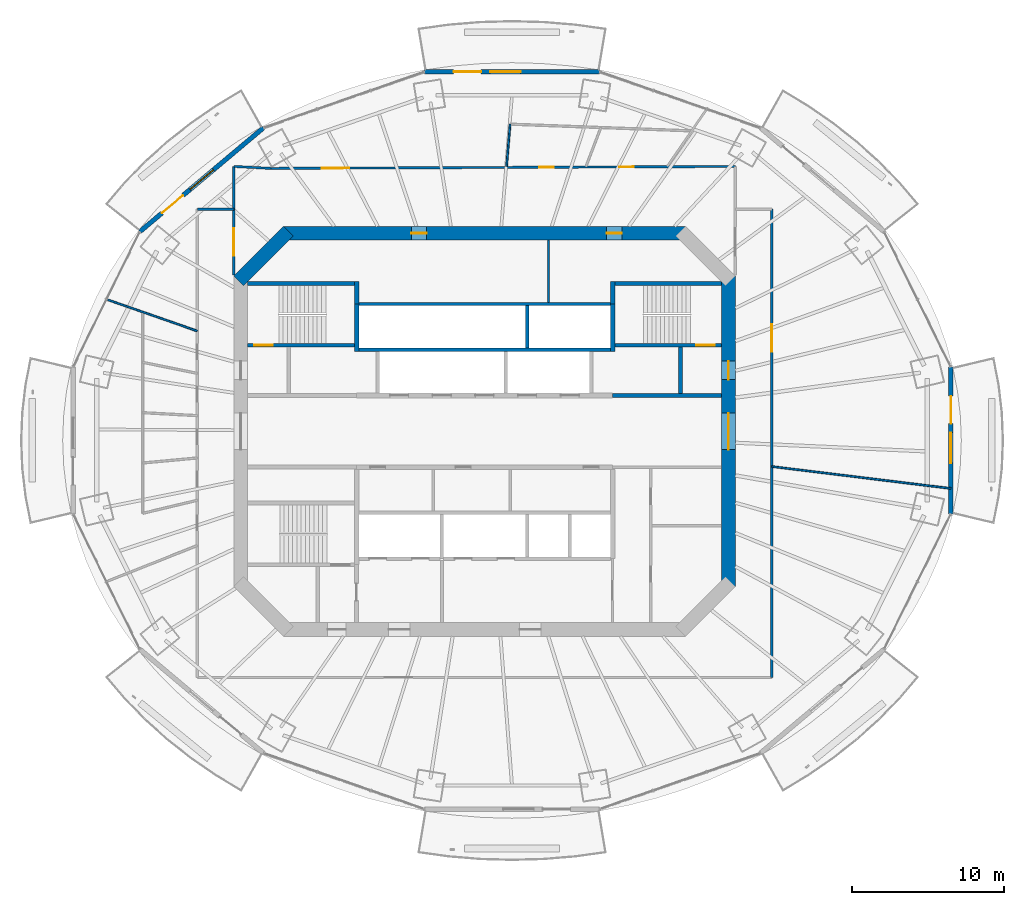
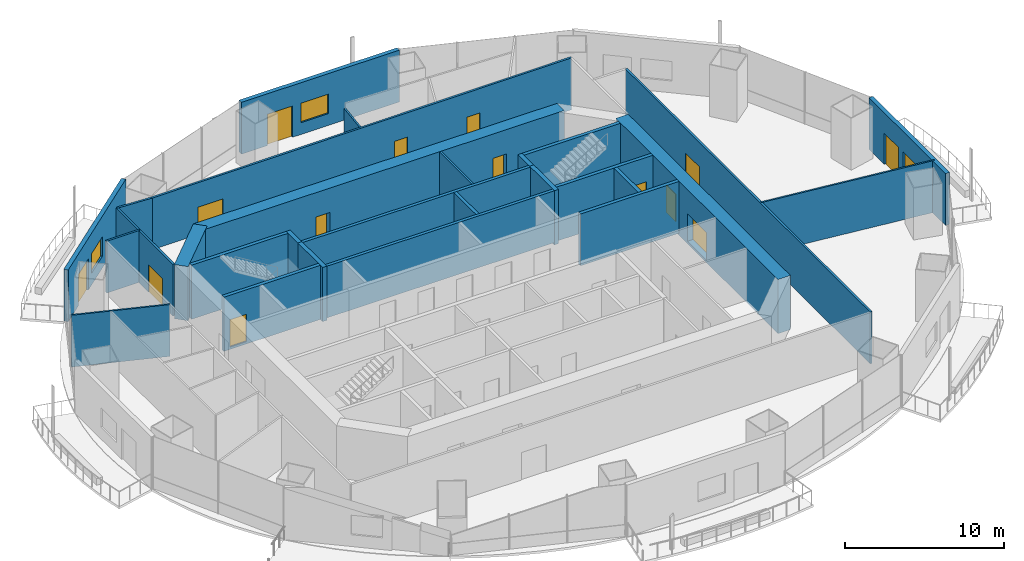
# One storey, part 12 of 18: 28 walls, 14 doors, 3 windows, 17 openings.
"""IFC4 building model written with IfcOpenShell, lengths in metres."""

from ifc_helpers import new_model, si_unit, direction, frame, frame_2d, origin, place, context, subcontext, project, spatial, rectangle, extrude, material, layer, layer_set, type_object, element, fill, save


model = new_model("IFC4")

# Units and contexts
model_context = context("Model", 3, precision=1e-05, world=origin(), true_north=direction((0.0, 1.0)))
body_context = subcontext(model_context, "Body", "Model", "MODEL_VIEW")
ifc_project = project(units=[si_unit("LENGTHUNIT", "METRE"), si_unit("AREAUNIT", "SQUARE_METRE"), si_unit("VOLUMEUNIT", "CUBIC_METRE"), si_unit("PLANEANGLEUNIT", "RADIAN"), si_unit("MASSUNIT", "GRAM", prefix="KILO")], contexts=[model_context])

# Site, building, storey
site_placement = place(None, origin())
site = spatial("IfcSite", under=ifc_project, at=site_placement, CompositionType="ELEMENT")
building_placement = place(site_placement, origin())
building = spatial("IfcBuilding", under=site, at=building_placement, Name="Marenthal Gate Tower", CompositionType="ELEMENT")
storey_placement = place(building_placement, frame((0.0, 0.0, 264.800048828125)))
storey = spatial("IfcBuildingStorey", under=building, at=storey_placement, Name="L59", CompositionType="ELEMENT", Elevation=264.800048828125)

# Wall, openings, doors
ifc_material_1 = material(Name="Concrete 60 MPa", Category="concrete")
ifc_layer_1 = layer(ifc_material_1, 0.89990234375)
ifc_layer_set_1 = layer_set([ifc_layer_1], Name="Core shear wall 900")
wall_type_1 = type_object("IfcWallType", Name="Core shear wall 900", PredefinedType="SHEAR", material=ifc_layer_set_1)
wall_1_placement = place(storey_placement, frame((16.0, -10.186279296875, -0.179931640625), z_axis=(0.0, 0.0, 1.0), x_axis=(0.0, 1.0, 0.0)))
wall_1 = element("IfcWall", 1, at=wall_1_placement, inside=storey, type_object=wall_type_1, Name="Core wall 02", PredefinedType="SHEAR", context=body_context, shape_type="SweptSolid", body=[
    extrude(rectangle(XDim=20.37255859375, YDim=0.89990234375, at=frame_2d((10.186279296875, 0.0))), origin(), (0.0, 0.0, 1.0), 4.14990234375),
])
opening_1_placement = place(wall_1_placement, frame((8.986328125, 0.0, 0.179931640625)))
opening_1 = element("IfcOpeningElement", 2, at=opening_1_placement, cuts=wall_1, Name="Opening D003.02", PredefinedType="OPENING", context=body_context, shape_type="SweptSolid", body=[
    extrude(rectangle(XDim=2.39990234375, YDim=2.10009765625, at=frame_2d((1.199951171875, 1.050048828125))), frame((0.0, 0.4599609375, 0.0), z_axis=(0.0, -1.0, 0.0), x_axis=(1.0, 0.0, 0.0)), (0.0, 0.0, 1.0), 0.919921875),
])
opening_2_placement = place(wall_1_placement, frame((13.58642578125, 0.0, 0.179931640625)))
opening_2 = element("IfcOpeningElement", 3, at=opening_2_placement, cuts=wall_1, Name="Opening D001.05", PredefinedType="OPENING", context=body_context, shape_type="SweptSolid", body=[
    extrude(rectangle(XDim=1.199951171875, YDim=2.10009765625, at=frame_2d((0.60009765625, 1.050048828125))), frame((0.0, 0.4599609375, 0.0), z_axis=(0.0, -1.0, 0.0), x_axis=(1.0, 0.0, 0.0)), (0.0, 0.0, 1.0), 0.919921875),
])
ifc_material_2 = material(Name="Steel fire door", Category="steel")
door_type_1 = type_object("IfcDoorType", Name="Double fire door FD 45 2400 x 2100", OperationType="DOUBLE_DOOR_SINGLE_SWING", PredefinedType="DOOR", material=ifc_material_2)
door_1_placement = place(opening_1_placement, origin())
door_1 = element("IfcDoor", 4, at=door_1_placement, inside=storey, type_object=door_type_1, Name="Door D003.02", OperationType="DOUBLE_DOOR_SINGLE_SWING", OverallHeight=2.10009765625, OverallWidth=2.39990234375, PredefinedType="DOOR", context=body_context, shape_type="SweptSolid", body=[
    extrude(rectangle(XDim=2.39990234375, YDim=2.10009765625, at=frame_2d((1.199951171875, 1.050048828125))), frame((0.0, 0.02490234375, 0.0), z_axis=(0.0, -1.0, 0.0), x_axis=(1.0, 0.0, 0.0)), (0.0, 0.0, 1.0), 0.050048828125),
])
fill(opening_1, door_1)
ifc_material_3 = material(Name="Steel fire door", Category="steel")
door_type_2 = type_object("IfcDoorType", Name="Fire door FD 90 1200 x 2100", OperationType="NOTDEFINED", PredefinedType="DOOR", material=ifc_material_3)
door_2_placement = place(opening_2_placement, origin())
door_2 = element("IfcDoor", 5, at=door_2_placement, inside=storey, type_object=door_type_2, Name="Door D001.05", OperationType="SINGLE_SWING_RIGHT", OverallHeight=2.10009765625, OverallWidth=1.199951171875, PredefinedType="DOOR", context=body_context, shape_type="SweptSolid", body=[
    extrude(rectangle(XDim=1.199951171875, YDim=2.10009765625, at=frame_2d((0.60009765625, 1.050048828125))), frame((0.0, 0.02490234375, 0.0), z_axis=(0.0, -1.0, 0.0), x_axis=(1.0, 0.0, 0.0)), (0.0, 0.0, 1.0), 0.050048828125),
])
fill(opening_2, door_2)

wall_2_placement = place(storey_placement, frame((13.186279296875, 13.0, -0.179931640625), z_axis=(0.0, 0.0, 1.0), x_axis=(-1.0, 0.0, 0.0)))
wall_2 = element("IfcWall", 6, at=wall_2_placement, inside=storey, type_object=wall_type_1, Name="Core wall 04", PredefinedType="SHEAR", context=body_context, shape_type="SweptSolid", body=[
    extrude(rectangle(XDim=26.37255859375, YDim=0.89990234375, at=frame_2d((13.186279296875, 0.0))), origin(), (0.0, 0.0, 1.0), 4.14990234375),
])
opening_3_placement = place(wall_2_placement, frame((16.993408203125, 0.0, 0.179931640625)))
opening_3 = element("IfcOpeningElement", 7, at=opening_3_placement, cuts=wall_2, Name="Opening D005.04", PredefinedType="OPENING", context=body_context, shape_type="SweptSolid", body=[
    extrude(rectangle(XDim=1.0, YDim=2.10009765625, at=frame_2d((0.5, 1.050048828125))), frame((0.0, 0.4599609375, 0.0), z_axis=(0.0, -1.0, 0.0), x_axis=(1.0, 0.0, 0.0)), (0.0, 0.0, 1.0), 0.919921875),
])
opening_4_placement = place(wall_2_placement, frame((4.179443359375, 0.0, 0.179931640625)))
opening_4 = element("IfcOpeningElement", 8, at=opening_4_placement, cuts=wall_2, Name="Opening D005.05", PredefinedType="OPENING", context=body_context, shape_type="SweptSolid", body=[
    extrude(rectangle(XDim=1.0, YDim=2.10009765625, at=frame_2d((0.5, 1.050048828125))), frame((0.0, 0.4599609375, 0.0), z_axis=(0.0, -1.0, 0.0), x_axis=(1.0, 0.0, 0.0)), (0.0, 0.0, 1.0), 0.919921875),
])
ifc_material_4 = material(Name="Steel fire door", Category="steel")
door_type_3 = type_object("IfcDoorType", Name="Fire door FD 45 1000 x 2100", OperationType="NOTDEFINED", PredefinedType="DOOR", material=ifc_material_4)
door_3_placement = place(opening_3_placement, origin())
door_3 = element("IfcDoor", 9, at=door_3_placement, inside=storey, type_object=door_type_3, Name="Door D005.04", OperationType="SINGLE_SWING_RIGHT", OverallHeight=2.10009765625, OverallWidth=1.0, PredefinedType="DOOR", context=body_context, shape_type="SweptSolid", body=[
    extrude(rectangle(XDim=1.0, YDim=2.10009765625, at=frame_2d((0.5, 1.050048828125))), frame((0.0, 0.02490234375, 0.0), z_axis=(0.0, -1.0, 0.0), x_axis=(1.0, 0.0, 0.0)), (0.0, 0.0, 1.0), 0.050048828125),
])
fill(opening_3, door_3)
door_4_placement = place(opening_4_placement, origin())
door_4 = element("IfcDoor", 10, at=door_4_placement, inside=storey, type_object=door_type_3, Name="Door D005.05", OperationType="SINGLE_SWING_RIGHT", OverallHeight=2.10009765625, OverallWidth=1.0, PredefinedType="DOOR", context=body_context, shape_type="SweptSolid", body=[
    extrude(rectangle(XDim=1.0, YDim=2.10009765625, at=frame_2d((0.5, 1.050048828125))), frame((0.0, 0.02490234375, 0.0), z_axis=(0.0, -1.0, 0.0), x_axis=(1.0, 0.0, 0.0)), (0.0, 0.0, 1.0), 0.050048828125),
])
fill(opening_4, door_4)

# Walls
wall_3_placement = place(storey_placement, frame((-12.8681640625, 13.1318359375, -0.179931640625), z_axis=(0.0, 0.0, 1.0), x_axis=(-0.707106781187, -0.707106781187, 0.0)))
element("IfcWall", 11, at=wall_3_placement, inside=storey, type_object=wall_type_1, Name="Core wall 05", PredefinedType="SHEAR", context=body_context, shape_type="SweptSolid", body=[
    extrude(rectangle(XDim=4.615478515625, YDim=0.89990234375, at=frame_2d((2.3076171875, 0.0))), origin(), (0.0, 0.0, 1.0), 4.14990234375),
])
ifc_material_5 = material(Name="Concrete 50 MPa", Category="concrete")
ifc_layer_2 = layer(ifc_material_5, 0.300048828125)
ifc_layer_set_2 = layer_set([ifc_layer_2], Name="Hoistway shear wall 300")
wall_type_2 = type_object("IfcWallType", Name="Hoistway shear wall 300", PredefinedType="SHEAR", material=ifc_layer_set_2)
for number, where, z_axis, x_axis, name in (
    (12, (-8.39990234375, 5.239990234375, -0.179931640625), (0.0, 0.0, 1.0), (0.0, 1.0, 0.0), "Hoistway wall 31"),
    (13, (8.39990234375, 5.239990234375, -0.179931640625), (0.0, 0.0, 1.0), (0.0, 1.0, 0.0), "Hoistway wall 46"),
):
    element("IfcWall", number, at=place(storey_placement, frame(where, z_axis=z_axis, x_axis=x_axis)), inside=storey, type_object=wall_type_2, Name=name, PredefinedType="SHEAR", context=body_context, shape_type="SweptSolid", body=[
        extrude(rectangle(XDim=3.110107421875, YDim=0.300048828125, at=frame_2d((1.55517578125, 0.0))), origin(), (0.0, 0.0, 1.0), 4.14990234375),
    ])
ifc_material_6 = material(Name="Concrete 40 MPa", Category="concrete")
ifc_layer_3 = layer(ifc_material_6, 0.219970703125)
ifc_layer_set_3 = layer_set([ifc_layer_3], Name="Hoistway wall 220")
wall_type_3 = type_object("IfcWallType", Name="Hoistway wall 220", PredefinedType="STANDARD", material=ifc_layer_set_3)
for number, where, z_axis, x_axis, name in (
    (14, (-8.25, 5.35009765625, 0.0), (0.0, 0.0, 1.0), (1.0, 0.0, 0.0), "Hoistway wall 21"),
    (15, (-8.25, 8.35009765625, 0.0), (0.0, 0.0, 1.0), (1.0, 0.0, 0.0), "Hoistway wall 24"),
):
    element("IfcWall", number, at=place(storey_placement, frame(where, z_axis=z_axis, x_axis=x_axis)), inside=storey, type_object=wall_type_3, Name=name, PredefinedType="STANDARD", context=body_context, shape_type="SweptSolid", body=[
        extrude(rectangle(XDim=16.5, YDim=0.219970703125, at=frame_2d((8.25, 0.0))), origin(), (0.0, 0.0, 1.0), 3.969970703125),
    ])
wall_4_placement = place(storey_placement, frame((2.800048828125, 5.4599609375, 0.0), z_axis=(0.0, 0.0, 1.0), x_axis=(0.0, 1.0, 0.0)))
element("IfcWall", 16, at=wall_4_placement, inside=storey, type_object=wall_type_3, Name="Hoistway wall 40", PredefinedType="STANDARD", context=body_context, shape_type="SweptSolid", body=[
    extrude(rectangle(XDim=2.780029296875, YDim=0.219970703125, at=frame_2d((1.39013671875, 0.0))), origin(), (0.0, 0.0, 1.0), 3.969970703125),
])
ifc_material_7 = material(Name="Gypsum board on steel studs", Category="steel")
ifc_layer_4 = layer(ifc_material_7, 0.1201171875)
ifc_layer_set_4 = layer_set([ifc_layer_4], Name="Partition 120")
wall_type_4 = type_object("IfcWallType", Name="Partition 120", PredefinedType="PARTITIONING", material=ifc_layer_set_4)
wall_5_placement = place(storey_placement, frame((-18.85009765625, 6.580078125, 0.0), z_axis=(0.0, 0.0, 1.0), x_axis=(-0.944129608836, 0.329574394819, 0.0)))
element("IfcWall", 17, at=wall_5_placement, inside=storey, type_object=wall_type_4, Name="Partition wall 57", PredefinedType="PARTITIONING", context=body_context, shape_type="SweptSolid", body=[
    extrude(rectangle(XDim=6.306884765625, YDim=0.1201171875, at=frame_2d((3.1533203125, 0.0))), origin(), (0.0, 0.0, 1.0), 3.969970703125),
])
wall_6_placement = place(storey_placement, frame((1.67431640625, 20.154052734375, 0.0), z_axis=(0.0, 0.0, 1.0), x_axis=(-0.082798678208, -0.996566294276, 0.0)))
element("IfcWall", 18, at=wall_6_placement, inside=storey, type_object=wall_type_4, Name="Partition wall 62", PredefinedType="PARTITIONING", context=body_context, shape_type="SweptSolid", body=[
    extrude(rectangle(XDim=2.783447265625, YDim=0.1201171875, at=frame_2d((1.3916015625, 0.0))), origin(), (0.0, 0.0, 1.0), 3.552978515625),
])
wall_7_placement = place(storey_placement, frame((18.85009765625, -2.310302734375, 0.0), z_axis=(0.0, 0.0, 1.0), x_axis=(0.99257271965, -0.121652769002, 0.0)))
element("IfcWall", 19, at=wall_7_placement, inside=storey, type_object=wall_type_4, Name="Partition wall 69", PredefinedType="PARTITIONING", context=body_context, shape_type="SweptSolid", body=[
    extrude(rectangle(XDim=11.83447265625, YDim=0.1201171875, at=frame_2d((5.917236328125, 0.0))), origin(), (0.0, 0.0, 1.0), 3.969970703125),
])
ifc_material_8 = material(Name="Gypsum board on steel studs", Category="steel")
ifc_layer_5 = layer(ifc_material_8, 0.14990234375)
ifc_layer_set_5 = layer_set([ifc_layer_5], Name="Partition 150")
wall_type_5 = type_object("IfcWallType", Name="Partition 150", PredefinedType="PARTITIONING", material=ifc_layer_set_5)
wall_8_placement = place(storey_placement, frame((4.199951171875, 8.4599609375, 0.0), z_axis=(0.0, 0.0, 1.0), x_axis=(0.0, 1.0, 0.0)))
element("IfcWall", 20, at=wall_8_placement, inside=storey, type_object=wall_type_5, Name="Partition wall 41", PredefinedType="PARTITIONING", context=body_context, shape_type="SweptSolid", body=[
    extrude(rectangle(XDim=4.090087890625, YDim=0.14990234375, at=frame_2d((2.044921875, 0.0))), origin(), (0.0, 0.0, 1.0), 3.969970703125),
])
wall_9_placement = place(storey_placement, frame((-18.85009765625, 14.580078125, 0.0), z_axis=(0.0, 0.0, 1.0), x_axis=(1.0, 0.0, 0.0)))
element("IfcWall", 21, at=wall_9_placement, inside=storey, type_object=wall_type_5, Name="Partition wall 58", PredefinedType="PARTITIONING", context=body_context, shape_type="SweptSolid", body=[
    extrude(rectangle(XDim=2.400146484375, YDim=0.14990234375, at=frame_2d((1.2001953125, 0.0))), origin(), (0.0, 0.0, 1.0), 3.969970703125),
])

# Wall, opening, door
wall_10_placement = place(storey_placement, frame((-16.449951171875, 10.25, 0.0), z_axis=(0.0, 0.0, 1.0), x_axis=(0.0, 1.0, 0.0)))
wall_10 = element("IfcWall", 22, at=wall_10_placement, inside=storey, type_object=wall_type_5, Name="Partition wall 59", PredefinedType="PARTITIONING", context=body_context, shape_type="SweptSolid", body=[
    extrude(rectangle(XDim=7.130126953125, YDim=0.14990234375, at=frame_2d((3.56494140625, 0.0))), origin(), (0.0, 0.0, 1.0), 3.969970703125),
])
opening_5_placement = place(wall_10_placement, frame((1.264892578125, 0.0, 0.0)))
opening_5 = element("IfcOpeningElement", 23, at=opening_5_placement, cuts=wall_10, Name="Opening D014.04", PredefinedType="OPENING", context=body_context, shape_type="SweptSolid", body=[
    extrude(rectangle(XDim=1.800048828125, YDim=2.10009765625, at=frame_2d((0.89990234375, 1.050048828125))), frame((0.0, 0.0849609375, 0.0), z_axis=(0.0, -1.0, 0.0), x_axis=(1.0, 0.0, 0.0)), (0.0, 0.0, 1.0), 0.169921875),
])
ifc_material_9 = material(Name="Timber door", Category="wood")
door_type_4 = type_object("IfcDoorType", Name="Double door 1800 x 2100", OperationType="DOUBLE_DOOR_SINGLE_SWING", PredefinedType="DOOR", material=ifc_material_9)
door_5_placement = place(opening_5_placement, origin())
door_5 = element("IfcDoor", 24, at=door_5_placement, inside=storey, type_object=door_type_4, Name="Door D014.04", OperationType="DOUBLE_DOOR_SINGLE_SWING", OverallHeight=2.10009765625, OverallWidth=1.800048828125, PredefinedType="DOOR", context=body_context, shape_type="SweptSolid", body=[
    extrude(rectangle(XDim=1.800048828125, YDim=2.10009765625, at=frame_2d((0.89990234375, 1.050048828125))), frame((0.0, 0.02490234375, 0.0), z_axis=(0.0, -1.0, 0.0), x_axis=(1.0, 0.0, 0.0)), (0.0, 0.0, 1.0), 0.050048828125),
])
fill(opening_5, door_5)

# Wall
wall_11_placement = place(storey_placement, frame((-16.449951171875, 17.380126953125, 0.0), z_axis=(0.0, 0.0, 1.0), x_axis=(0.998580451671, -0.05326426138, 0.0)))
element("IfcWall", 25, at=wall_11_placement, inside=storey, type_object=wall_type_5, Name="Partition wall 60", PredefinedType="PARTITIONING", context=body_context, shape_type="SweptSolid", body=[
    extrude(rectangle(XDim=2.4521484375, YDim=0.14990234375, at=frame_2d((1.22607421875, 0.0))), origin(), (0.0, 0.0, 1.0), 3.969970703125),
])

# Wall, openings, doors
wall_12_placement = place(storey_placement, frame((-14.001220703125, 17.24951171875, 0.0), z_axis=(0.0, 0.0, 1.0), x_axis=(0.999990800936, 0.004289294132, 0.0)))
wall_12 = element("IfcWall", 26, at=wall_12_placement, inside=storey, type_object=wall_type_5, Name="Partition wall 61", PredefinedType="PARTITIONING", context=body_context, shape_type="SweptSolid", body=[
    extrude(rectangle(XDim=30.451416015625, YDim=0.14990234375, at=frame_2d((15.2255859375, 0.0))), origin(), (0.0, 0.0, 1.0), 3.969970703125),
])
opening_6_placement = place(wall_12_placement, frame((22.843994140625, 0.0, 0.0)))
opening_6 = element("IfcOpeningElement", 27, at=opening_6_placement, cuts=wall_12, Name="Opening D016.01", PredefinedType="OPENING", context=body_context, shape_type="SweptSolid", body=[
    extrude(rectangle(XDim=0.949951171875, YDim=2.10009765625, at=frame_2d((0.47509765625, 1.050048828125))), frame((0.0, 0.0849609375, 0.0), z_axis=(0.0, -1.0, 0.0), x_axis=(1.0, 0.0, 0.0)), (0.0, 0.0, 1.0), 0.169921875),
])
opening_7_placement = place(wall_12_placement, frame((17.575927734375, 0.0, 0.0)))
opening_7 = element("IfcOpeningElement", 28, at=opening_7_placement, cuts=wall_12, Name="Opening D016.02", PredefinedType="OPENING", context=body_context, shape_type="SweptSolid", body=[
    extrude(rectangle(XDim=0.949951171875, YDim=2.10009765625, at=frame_2d((0.47509765625, 1.050048828125))), frame((0.0, 0.0849609375, 0.0), z_axis=(0.0, -1.0, 0.0), x_axis=(1.0, 0.0, 0.0)), (0.0, 0.0, 1.0), 0.169921875),
])
opening_8_placement = place(wall_12_placement, frame((3.318115234375, 0.0, 0.0)))
opening_8 = element("IfcOpeningElement", 29, at=opening_8_placement, cuts=wall_12, Name="Opening D014.01", PredefinedType="OPENING", context=body_context, shape_type="SweptSolid", body=[
    extrude(rectangle(XDim=1.800048828125, YDim=2.10009765625, at=frame_2d((0.89990234375, 1.050048828125))), frame((0.0, 0.0849609375, 0.0), z_axis=(0.0, -1.0, 0.0), x_axis=(1.0, 0.0, 0.0)), (0.0, 0.0, 1.0), 0.169921875),
])
ifc_material_10 = material(Name="Timber door", Category="wood")
door_type_5 = type_object("IfcDoorType", Name="Door 950 x 2100", OperationType="NOTDEFINED", PredefinedType="DOOR", material=ifc_material_10)
door_6_placement = place(opening_6_placement, origin())
door_6 = element("IfcDoor", 30, at=door_6_placement, inside=storey, type_object=door_type_5, Name="Door D016.01", OperationType="SINGLE_SWING_RIGHT", OverallHeight=2.10009765625, OverallWidth=0.949951171875, PredefinedType="DOOR", context=body_context, shape_type="SweptSolid", body=[
    extrude(rectangle(XDim=0.949951171875, YDim=2.10009765625, at=frame_2d((0.47509765625, 1.050048828125))), frame((0.0, 0.02490234375, 0.0), z_axis=(0.0, -1.0, 0.0), x_axis=(1.0, 0.0, 0.0)), (0.0, 0.0, 1.0), 0.050048828125),
])
fill(opening_6, door_6)
door_7_placement = place(opening_7_placement, origin())
door_7 = element("IfcDoor", 31, at=door_7_placement, inside=storey, type_object=door_type_5, Name="Door D016.02", OperationType="SINGLE_SWING_RIGHT", OverallHeight=2.10009765625, OverallWidth=0.949951171875, PredefinedType="DOOR", context=body_context, shape_type="SweptSolid", body=[
    extrude(rectangle(XDim=0.949951171875, YDim=2.10009765625, at=frame_2d((0.47509765625, 1.050048828125))), frame((0.0, 0.02490234375, 0.0), z_axis=(0.0, -1.0, 0.0), x_axis=(1.0, 0.0, 0.0)), (0.0, 0.0, 1.0), 0.050048828125),
])
fill(opening_7, door_7)
door_8_placement = place(opening_8_placement, origin())
door_8 = element("IfcDoor", 32, at=door_8_placement, inside=storey, type_object=door_type_4, Name="Door D014.01", OperationType="DOUBLE_DOOR_SINGLE_SWING", OverallHeight=2.10009765625, OverallWidth=1.800048828125, PredefinedType="DOOR", context=body_context, shape_type="SweptSolid", body=[
    extrude(rectangle(XDim=1.800048828125, YDim=2.10009765625, at=frame_2d((0.89990234375, 1.050048828125))), frame((0.0, 0.02490234375, 0.0), z_axis=(0.0, -1.0, 0.0), x_axis=(1.0, 0.0, 0.0)), (0.0, 0.0, 1.0), 0.050048828125),
])
fill(opening_8, door_8)

# Wall, opening, door
wall_13_placement = place(storey_placement, frame((18.85009765625, 14.580078125, 0.0), z_axis=(0.0, 0.0, 1.0), x_axis=(0.0, -1.0, 0.0)))
wall_13 = element("IfcWall", 33, at=wall_13_placement, inside=storey, type_object=wall_type_5, Name="Partition wall 70", PredefinedType="PARTITIONING", context=body_context, shape_type="SweptSolid", body=[
    extrude(rectangle(XDim=30.72998046875, YDim=0.14990234375, at=frame_2d((15.364990234375, 0.0))), origin(), (0.0, 0.0, 1.0), 3.969970703125),
])
opening_9_placement = place(wall_13_placement, frame((7.544921875, 0.0, 0.0)))
opening_9 = element("IfcOpeningElement", 34, at=opening_9_placement, cuts=wall_13, Name="Opening D014.03", PredefinedType="OPENING", context=body_context, shape_type="SweptSolid", body=[
    extrude(rectangle(XDim=1.800048828125, YDim=2.10009765625, at=frame_2d((0.89990234375, 1.050048828125))), frame((0.0, 0.0849609375, 0.0), z_axis=(0.0, -1.0, 0.0), x_axis=(1.0, 0.0, 0.0)), (0.0, 0.0, 1.0), 0.169921875),
])
door_9_placement = place(opening_9_placement, origin())
door_9 = element("IfcDoor", 35, at=door_9_placement, inside=storey, type_object=door_type_4, Name="Door D014.03", OperationType="DOUBLE_DOOR_SINGLE_SWING", OverallHeight=2.10009765625, OverallWidth=1.800048828125, PredefinedType="DOOR", context=body_context, shape_type="SweptSolid", body=[
    extrude(rectangle(XDim=1.800048828125, YDim=2.10009765625, at=frame_2d((0.89990234375, 1.050048828125))), frame((0.0, 0.02490234375, 0.0), z_axis=(0.0, -1.0, 0.0), x_axis=(1.0, 0.0, 0.0)), (0.0, 0.0, 1.0), 0.050048828125),
])
fill(opening_9, door_9)

# Walls
ifc_material_11 = material(Name="Concrete 40 MPa", Category="concrete")
ifc_layer_6 = layer(ifc_material_11, 0.25)
ifc_layer_set_6 = layer_set([ifc_layer_6], Name="Stair enclosure wall 250")
wall_type_6 = type_object("IfcWallType", Name="Stair enclosure wall 250", PredefinedType="STANDARD", material=ifc_layer_set_6)
wall_14_placement = place(storey_placement, frame((8.39990234375, 2.35009765625, 0.0), z_axis=(0.0, 0.0, 1.0), x_axis=(1.0, 0.0, 0.0)))
element("IfcWall", 36, at=wall_14_placement, inside=storey, type_object=wall_type_6, Name="Stair wall 20", PredefinedType="STANDARD", context=body_context, shape_type="SweptSolid", body=[
    extrude(rectangle(XDim=7.150146484375, YDim=0.25, at=frame_2d((3.5751953125, 0.0))), origin(), (0.0, 0.0, 1.0), 3.969970703125),
])
wall_15_placement = place(storey_placement, frame((12.85009765625, 2.47509765625, 0.0), z_axis=(0.0, 0.0, 1.0), x_axis=(0.0, 1.0, 0.0)))
element("IfcWall", 37, at=wall_15_placement, inside=storey, type_object=wall_type_6, Name="Stair wall 49", PredefinedType="STANDARD", context=body_context, shape_type="SweptSolid", body=[
    extrude(rectangle(XDim=3.0498046875, YDim=0.25, at=frame_2d((1.52490234375, 0.0))), origin(), (0.0, 0.0, 1.0), 3.969970703125),
])

# Wall, opening, door
ifc_material_12 = material(Name="Concrete 50 MPa", Category="concrete")
ifc_layer_7 = layer(ifc_material_12, 0.25)
ifc_layer_set_7 = layer_set([ifc_layer_7], Name="Stair shear wall 250")
wall_type_7 = type_object("IfcWallType", Name="Stair shear wall 250", PredefinedType="SHEAR", material=ifc_layer_set_7)
wall_16_placement = place(storey_placement, frame((-15.550048828125, 5.64990234375, -0.179931640625), z_axis=(0.0, 0.0, 1.0), x_axis=(1.0, 0.0, 0.0)))
wall_16 = element("IfcWall", 38, at=wall_16_placement, inside=storey, type_object=wall_type_7, Name="Stair wall 22", PredefinedType="SHEAR", context=body_context, shape_type="SweptSolid", body=[
    extrude(rectangle(XDim=7.0, YDim=0.25, at=frame_2d((3.5, 0.0))), origin(), (0.0, 0.0, 1.0), 4.14990234375),
])
opening_10_placement = place(wall_16_placement, frame((0.449951171875, 0.0, 0.179931640625)))
opening_10 = element("IfcOpeningElement", 39, at=opening_10_placement, cuts=wall_16, Name="Opening D001.01", PredefinedType="OPENING", context=body_context, shape_type="SweptSolid", body=[
    extrude(rectangle(XDim=1.199951171875, YDim=2.10009765625, at=frame_2d((0.60009765625, 1.050048828125))), frame((0.0, 0.135009765625, 0.0), z_axis=(0.0, -1.0, 0.0), x_axis=(1.0, 0.0, 0.0)), (0.0, 0.0, 1.0), 0.27001953125),
])
door_10_placement = place(opening_10_placement, origin())
door_10 = element("IfcDoor", 40, at=door_10_placement, inside=storey, type_object=door_type_2, Name="Door D001.01", OperationType="SINGLE_SWING_RIGHT", OverallHeight=2.10009765625, OverallWidth=1.199951171875, PredefinedType="DOOR", context=body_context, shape_type="SweptSolid", body=[
    extrude(rectangle(XDim=1.199951171875, YDim=2.10009765625, at=frame_2d((0.60009765625, 1.050048828125))), frame((0.0, 0.02490234375, 0.0), z_axis=(0.0, -1.0, 0.0), x_axis=(1.0, 0.0, 0.0)), (0.0, 0.0, 1.0), 0.050048828125),
])
fill(opening_10, door_10)

wall_17_placement = place(storey_placement, frame((8.550048828125, 5.64990234375, -0.179931640625), z_axis=(0.0, 0.0, 1.0), x_axis=(1.0, 0.0, 0.0)))
wall_17 = element("IfcWall", 41, at=wall_17_placement, inside=storey, type_object=wall_type_7, Name="Stair wall 23", PredefinedType="SHEAR", context=body_context, shape_type="SweptSolid", body=[
    extrude(rectangle(XDim=7.0, YDim=0.25, at=frame_2d((3.5, 0.0))), origin(), (0.0, 0.0, 1.0), 4.14990234375),
])
opening_11_placement = place(wall_17_placement, frame((5.35009765625, 0.0, 0.179931640625)))
opening_11 = element("IfcOpeningElement", 42, at=opening_11_placement, cuts=wall_17, Name="Opening D001.02", PredefinedType="OPENING", context=body_context, shape_type="SweptSolid", body=[
    extrude(rectangle(XDim=1.199951171875, YDim=2.10009765625, at=frame_2d((0.60009765625, 1.050048828125))), frame((0.0, 0.135009765625, 0.0), z_axis=(0.0, -1.0, 0.0), x_axis=(1.0, 0.0, 0.0)), (0.0, 0.0, 1.0), 0.27001953125),
])
door_11_placement = place(opening_11_placement, origin())
door_11 = element("IfcDoor", 43, at=door_11_placement, inside=storey, type_object=door_type_2, Name="Door D001.02", OperationType="SINGLE_SWING_RIGHT", OverallHeight=2.10009765625, OverallWidth=1.199951171875, PredefinedType="DOOR", context=body_context, shape_type="SweptSolid", body=[
    extrude(rectangle(XDim=1.199951171875, YDim=2.10009765625, at=frame_2d((0.60009765625, 1.050048828125))), frame((0.0, 0.02490234375, 0.0), z_axis=(0.0, -1.0, 0.0), x_axis=(1.0, 0.0, 0.0)), (0.0, 0.0, 1.0), 0.050048828125),
])
fill(opening_11, door_11)

# Walls
for number, where, z_axis, x_axis, name in (
    (44, (-15.550048828125, 9.699951171875, -0.179931640625), (0.0, 0.0, 1.0), (1.0, 0.0, 0.0), "Stair wall 25"),
    (45, (8.550048828125, 9.699951171875, -0.179931640625), (0.0, 0.0, 1.0), (1.0, 0.0, 0.0), "Stair wall 26"),
):
    element("IfcWall", number, at=place(storey_placement, frame(where, z_axis=z_axis, x_axis=x_axis)), inside=storey, type_object=wall_type_7, Name=name, PredefinedType="SHEAR", context=body_context, shape_type="SweptSolid", body=[
        extrude(rectangle(XDim=7.0, YDim=0.25, at=frame_2d((3.5, 0.0))), origin(), (0.0, 0.0, 1.0), 4.14990234375),
    ])
ifc_material_13 = material(Name="Concrete 50 MPa", Category="concrete")
ifc_layer_8 = layer(ifc_material_13, 0.300048828125)
ifc_layer_set_8 = layer_set([ifc_layer_8], Name="Stair shear wall 300")
wall_type_8 = type_object("IfcWallType", Name="Stair shear wall 300", PredefinedType="SHEAR", material=ifc_layer_set_8)
for number, where, z_axis, x_axis, name in (
    (46, (-8.39990234375, 8.35009765625, -0.179931640625), (0.0, 0.0, 1.0), (0.0, 1.0, 0.0), "Stair wall 32"),
    (47, (8.39990234375, 8.35009765625, -0.179931640625), (0.0, 0.0, 1.0), (0.0, 1.0, 0.0), "Stair wall 47"),
):
    element("IfcWall", number, at=place(storey_placement, frame(where, z_axis=z_axis, x_axis=x_axis)), inside=storey, type_object=wall_type_8, Name=name, PredefinedType="SHEAR", context=body_context, shape_type="SweptSolid", body=[
        extrude(rectangle(XDim=1.474853515625, YDim=0.300048828125, at=frame_2d((0.7373046875, 0.0))), origin(), (0.0, 0.0, 1.0), 4.14990234375),
    ])

# Wall, openings, door, window
ifc_material_14 = material(Name="Terracotta cladding on insulated concrete-block backing", Category="masonry")
ifc_layer_9 = layer(ifc_material_14, 0.300048828125)
ifc_layer_set_9 = layer_set([ifc_layer_9], Name="Terracotta facade wall 300")
wall_type_9 = type_object("IfcWallType", Name="Terracotta facade wall 300", PredefinedType="SOLIDWALL", material=ifc_layer_set_9)
wall_18_placement = place(storey_placement, frame((7.528076171875, 23.593994140625, 0.0), z_axis=(0.0, 0.0, 1.0), x_axis=(-1.0, 0.0, 0.0)))
wall_18 = element("IfcWall", 48, at=wall_18_placement, inside=storey, type_object=wall_type_9, Name="Terracotta facade wall L59 bay 4", PredefinedType="SOLIDWALL", context=body_context, shape_type="SweptSolid", body=[
    extrude(rectangle(XDim=11.4560546875, YDim=0.300048828125, at=frame_2d((5.72802734375, 0.0))), origin(), (0.0, 0.0, 1.0), 3.969970703125),
])
opening_12_placement = place(wall_18_placement, frame((7.756103515625, 0.0, 0.0)))
opening_12 = element("IfcOpeningElement", 49, at=opening_12_placement, cuts=wall_18, Name="Opening BD-L59-04", PredefinedType="OPENING", context=body_context, shape_type="SweptSolid", body=[
    extrude(rectangle(XDim=1.800048828125, YDim=2.39990234375, at=frame_2d((0.89990234375, 1.199951171875))), frame((0.0, 0.16015625, 0.0), z_axis=(0.0, -1.0, 0.0), x_axis=(1.0, 0.0, 0.0)), (0.0, 0.0, 1.0), 0.320068359375),
])
opening_13_placement = place(wall_18_placement, frame((5.156005859375, 0.0, 0.89990234375)))
opening_13 = element("IfcOpeningElement", 50, at=opening_13_placement, cuts=wall_18, Name="Opening WN2-L59-04", PredefinedType="OPENING", context=body_context, shape_type="SweptSolid", body=[
    extrude(rectangle(XDim=2.0, YDim=1.5, at=frame_2d((1.0, 0.75))), frame((0.0, 0.16015625, 0.0), z_axis=(0.0, -1.0, 0.0), x_axis=(1.0, 0.0, 0.0)), (0.0, 0.0, 1.0), 0.320068359375),
])
ifc_material_15 = material(Name="Aluminium and glass", Category="aluminium")
door_type_6 = type_object("IfcDoorType", Name="Balcony door 1800x2400", OperationType="DOUBLE_DOOR_SINGLE_SWING", PredefinedType="DOOR", material=ifc_material_15)
door_12_placement = place(opening_12_placement, origin())
door_12 = element("IfcDoor", 51, at=door_12_placement, inside=storey, type_object=door_type_6, Name="Balcony door L59 bay 4", OperationType="SINGLE_SWING_LEFT", OverallHeight=2.39990234375, OverallWidth=1.800048828125, PredefinedType="DOOR", context=body_context, shape_type="SweptSolid", body=[
    extrude(rectangle(XDim=1.800048828125, YDim=2.39990234375, at=frame_2d((0.89990234375, 1.199951171875))), frame((0.0, 0.02490234375, 0.0), z_axis=(0.0, -1.0, 0.0), x_axis=(1.0, 0.0, 0.0)), (0.0, 0.0, 1.0), 0.050048828125),
])
fill(opening_12, door_12)
ifc_material_16 = material(Name="Aluminium and glass", Category="aluminium")
window_type = type_object("IfcWindowType", Name="Window 2000x1500", PartitioningType="DOUBLE_PANEL_VERTICAL", PredefinedType="WINDOW", material=ifc_material_16)
window_1_placement = place(opening_13_placement, origin())
window_1 = element("IfcWindow", 52, at=window_1_placement, inside=storey, type_object=window_type, Name="Window L59 bay 4", OverallHeight=1.5, OverallWidth=2.0, PartitioningType="SINGLE_PANEL", PredefinedType="WINDOW", context=body_context, shape_type="SweptSolid", body=[
    extrude(rectangle(XDim=2.0, YDim=1.5, at=frame_2d((1.0, 0.75))), frame((0.0, 0.030029296875, 0.0), z_axis=(0.0, -1.0, 0.0), x_axis=(1.0, 0.0, 0.0)), (0.0, 0.0, 1.0), 0.06005859375),
])
fill(opening_13, window_1)

wall_19_placement = place(storey_placement, frame((-14.51220703125, 19.91064453125, 0.0), z_axis=(0.0, 0.0, 1.0), x_axis=(-0.76563894676, -0.643270552104, 0.0)))
wall_19 = element("IfcWall", 53, at=wall_19_placement, inside=storey, type_object=wall_type_9, Name="Terracotta facade wall L59 bay 6", PredefinedType="SOLIDWALL", context=body_context, shape_type="SweptSolid", body=[
    extrude(rectangle(XDim=10.580078125, YDim=0.300048828125, at=frame_2d((5.2900390625, 0.0))), origin(), (0.0, 0.0, 1.0), 3.969970703125),
])
opening_14_placement = place(wall_19_placement, frame((6.880126953125, 0.0, 0.0)))
opening_14 = element("IfcOpeningElement", 54, at=opening_14_placement, cuts=wall_19, Name="Opening BD-L59-06", PredefinedType="OPENING", context=body_context, shape_type="SweptSolid", body=[
    extrude(rectangle(XDim=1.800048828125, YDim=2.39990234375, at=frame_2d((0.89990234375, 1.199951171875))), frame((0.0, 0.16015625, 0.0), z_axis=(0.0, -1.0, 0.0), x_axis=(1.0, 0.0, 0.0)), (0.0, 0.0, 1.0), 0.320068359375),
])
opening_15_placement = place(wall_19_placement, frame((4.2802734375, 0.0, 0.89990234375)))
opening_15 = element("IfcOpeningElement", 55, at=opening_15_placement, cuts=wall_19, Name="Opening WN2-L59-06", PredefinedType="OPENING", context=body_context, shape_type="SweptSolid", body=[
    extrude(rectangle(XDim=2.0, YDim=1.5, at=frame_2d((1.0, 0.75))), frame((0.0, 0.16015625, 0.0), z_axis=(0.0, -1.0, 0.0), x_axis=(1.0, 0.0, 0.0)), (0.0, 0.0, 1.0), 0.320068359375),
])
door_13_placement = place(opening_14_placement, origin())
door_13 = element("IfcDoor", 56, at=door_13_placement, inside=storey, type_object=door_type_6, Name="Balcony door L59 bay 6", OperationType="SINGLE_SWING_LEFT", OverallHeight=2.39990234375, OverallWidth=1.800048828125, PredefinedType="DOOR", context=body_context, shape_type="SweptSolid", body=[
    extrude(rectangle(XDim=1.800048828125, YDim=2.39990234375, at=frame_2d((0.89990234375, 1.199951171875))), frame((0.0, 0.02490234375, 0.0), z_axis=(0.0, -1.0, 0.0), x_axis=(1.0, 0.0, 0.0)), (0.0, 0.0, 1.0), 0.050048828125),
])
fill(opening_14, door_13)
window_2_placement = place(opening_15_placement, origin())
window_2 = element("IfcWindow", 57, at=window_2_placement, inside=storey, type_object=window_type, Name="Window L59 bay 6", OverallHeight=1.5, OverallWidth=2.0, PartitioningType="SINGLE_PANEL", PredefinedType="WINDOW", context=body_context, shape_type="SweptSolid", body=[
    extrude(rectangle(XDim=2.0, YDim=1.5, at=frame_2d((1.0, 0.75))), frame((0.0, 0.030029296875, 0.0), z_axis=(0.0, -1.0, 0.0), x_axis=(1.0, 0.0, 0.0)), (0.0, 0.0, 1.0), 0.06005859375),
])
fill(opening_15, window_2)

wall_20_placement = place(storey_placement, frame((30.5966796875, -5.41259765625, 0.0), z_axis=(0.0, 0.0, 1.0), x_axis=(0.0, 1.0, 0.0)))
wall_20 = element("IfcWall", 58, at=wall_20_placement, inside=storey, type_object=wall_type_9, Name="Terracotta facade wall L59 bay 16", PredefinedType="SOLIDWALL", context=body_context, shape_type="SweptSolid", body=[
    extrude(rectangle(XDim=9.625, YDim=0.300048828125, at=frame_2d((4.8125, 0.0))), origin(), (0.0, 0.0, 1.0), 3.969970703125),
])
opening_16_placement = place(wall_20_placement, frame((5.925048828125, 0.0, 0.0)))
opening_16 = element("IfcOpeningElement", 59, at=opening_16_placement, cuts=wall_20, Name="Opening BD-L59-16", PredefinedType="OPENING", context=body_context, shape_type="SweptSolid", body=[
    extrude(rectangle(XDim=1.800048828125, YDim=2.39990234375, at=frame_2d((0.89990234375, 1.199951171875))), frame((0.0, 0.16015625, 0.0), z_axis=(0.0, -1.0, 0.0), x_axis=(1.0, 0.0, 0.0)), (0.0, 0.0, 1.0), 0.320068359375),
])
opening_17_placement = place(wall_20_placement, frame((3.324951171875, 0.0, 0.89990234375)))
opening_17 = element("IfcOpeningElement", 60, at=opening_17_placement, cuts=wall_20, Name="Opening WN2-L59-16", PredefinedType="OPENING", context=body_context, shape_type="SweptSolid", body=[
    extrude(rectangle(XDim=2.0, YDim=1.5, at=frame_2d((1.0, 0.75))), frame((0.0, 0.16015625, 0.0), z_axis=(0.0, -1.0, 0.0), x_axis=(1.0, 0.0, 0.0)), (0.0, 0.0, 1.0), 0.320068359375),
])
door_14_placement = place(opening_16_placement, origin())
door_14 = element("IfcDoor", 61, at=door_14_placement, inside=storey, type_object=door_type_6, Name="Balcony door L59 bay 16", OperationType="SINGLE_SWING_LEFT", OverallHeight=2.39990234375, OverallWidth=1.800048828125, PredefinedType="DOOR", context=body_context, shape_type="SweptSolid", body=[
    extrude(rectangle(XDim=1.800048828125, YDim=2.39990234375, at=frame_2d((0.89990234375, 1.199951171875))), frame((0.0, 0.02490234375, 0.0), z_axis=(0.0, -1.0, 0.0), x_axis=(1.0, 0.0, 0.0)), (0.0, 0.0, 1.0), 0.050048828125),
])
fill(opening_16, door_14)
window_3_placement = place(opening_17_placement, origin())
window_3 = element("IfcWindow", 62, at=window_3_placement, inside=storey, type_object=window_type, Name="Window L59 bay 16", OverallHeight=1.5, OverallWidth=2.0, PartitioningType="SINGLE_PANEL", PredefinedType="WINDOW", context=body_context, shape_type="SweptSolid", body=[
    extrude(rectangle(XDim=2.0, YDim=1.5, at=frame_2d((1.0, 0.75))), frame((0.0, 0.030029296875, 0.0), z_axis=(0.0, -1.0, 0.0), x_axis=(1.0, 0.0, 0.0)), (0.0, 0.0, 1.0), 0.06005859375),
])
fill(opening_17, window_3)

save(model, "model.ifc")
